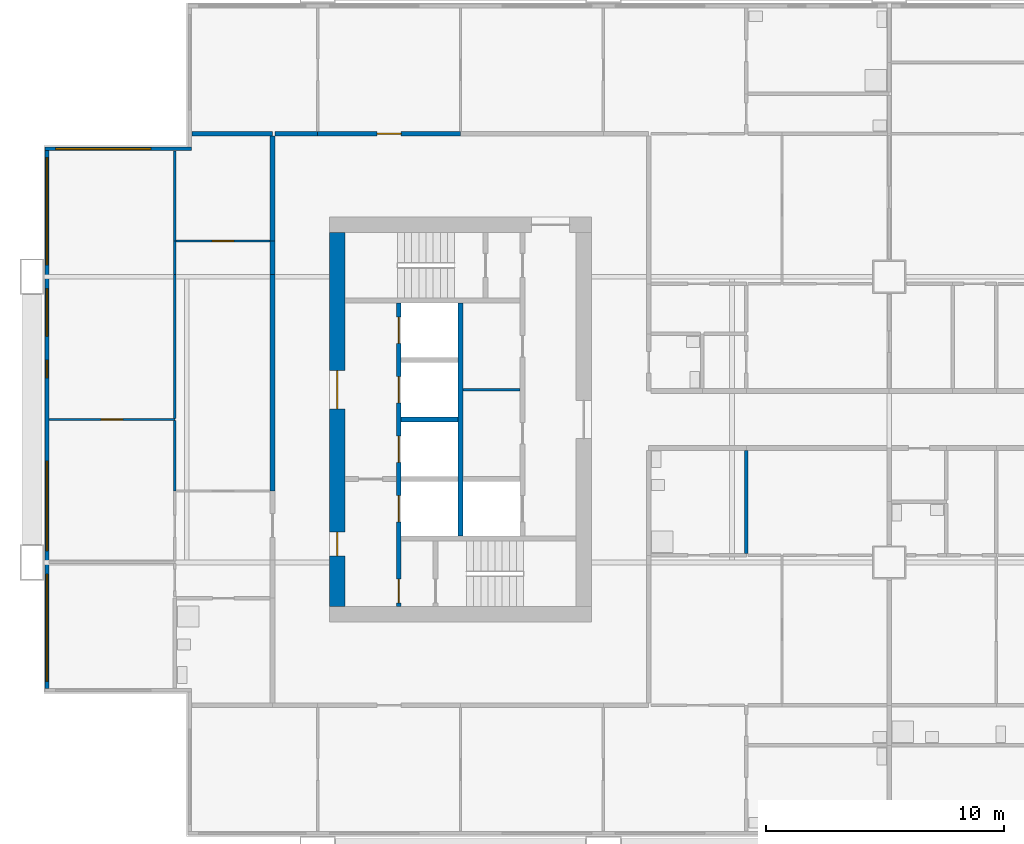
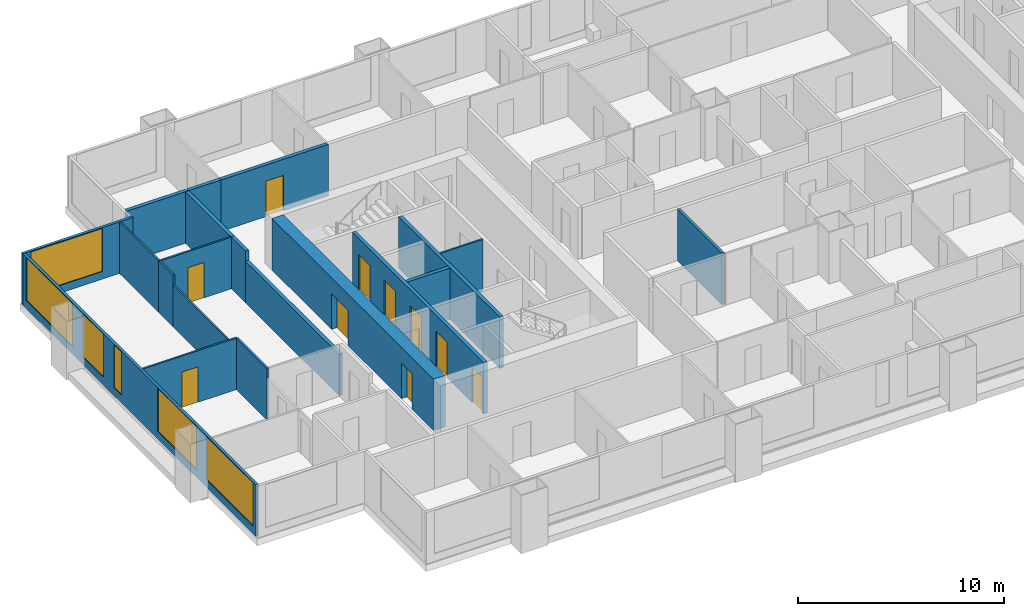
# One storey, part 3 of 11: 20 walls, 10 doors, 6 windows, 16 openings.
"""IFC4 building model written with IfcOpenShell, lengths in metres."""

import ifcopenshell
import ifcopenshell.guid

model = None  # the IFC model being written
_history = None  # IfcOwnerHistory: only IFC2X3 demands one
_inside = {}  # id of a spatial element -> (the spatial element, [elements in it])
_under = {}  # id of a project, library or spatial element -> (it, [spatial elements below it])
_declared = {}  # id of a project -> (the project, [libraries it declares])
_typed = {}  # id of a type object -> (the type object, [elements of that type])
_made_of = {}  # id of a material, layer set ... -> (it, [elements and type objects made of it])


def new_model(schema):
    """Start an empty IFC model of exactly this schema.

    Asked for "IFC4X3", IfcOpenShell would pick the latest addendum, in which some entities
    have other attributes; the version numbers below select the first issue.
    IFC2X3 requires an IfcOwnerHistory on every rooted entity: one is made here for all.
    """
    global model, _history
    if schema == "IFC4X3":
        model = ifcopenshell.file(schema_version=(4, 3, 0, 0))
    else:
        model = ifcopenshell.file(schema=schema)
    _inside.clear()
    _under.clear()
    _declared.clear()
    _typed.clear()
    _made_of.clear()
    _history = None
    if model.schema == "IFC2X3":
        org = make("IfcOrganization", Name="unknown")
        user = make(
            "IfcPersonAndOrganization",
            ThePerson=make("IfcPerson", FamilyName="unknown"),
            TheOrganization=org,
        )
        app = make(
            "IfcApplication",
            ApplicationDeveloper=org,
            Version="unknown",
            ApplicationFullName="unknown",
            ApplicationIdentifier="unknown",
        )
        _history = make(
            "IfcOwnerHistory",
            OwningUser=user,
            OwningApplication=app,
            ChangeAction="ADDED",
            CreationDate=0,
        )
    return model


def make(cls, **values):
    """One entity of the class cls with the attributes given. An attribute that is None is left unset."""
    return model.create_entity(
        cls, **{name: value for name, value in values.items() if value is not None}
    )


def rooted(cls, **values):
    """An entity with a GlobalId (a new one), such as an element, a storey or a relation."""
    return make(cls, GlobalId=ifcopenshell.guid.new(), OwnerHistory=_history, **values)


def si_unit(unit_type, name, prefix=None):
    """IfcSIUnit, for example si_unit("LENGTHUNIT", "METRE", prefix="MILLI")."""
    return make("IfcSIUnit", UnitType=unit_type, Prefix=prefix, Name=name)


def assignment(units):
    """IfcUnitAssignment: the units of a project."""
    return None if units is None else make("IfcUnitAssignment", Units=units)


def point(xyz):
    """IfcCartesianPoint."""
    return None if xyz is None else make("IfcCartesianPoint", Coordinates=xyz)


def direction(xyz):
    """IfcDirection."""
    return None if xyz is None else make("IfcDirection", DirectionRatios=xyz)


def frame(location, z_axis=None, x_axis=None):
    """IfcAxis2Placement3D, a coordinate frame: its origin and axes. An axis left out is left unset."""
    return make(
        "IfcAxis2Placement3D",
        Location=point(location),
        Axis=direction(z_axis),
        RefDirection=direction(x_axis),
    )


def frame_2d(location, x_axis=None):
    """IfcAxis2Placement2D, a coordinate frame in the plane: its origin and x axis."""
    return make(
        "IfcAxis2Placement2D", Location=point(location), RefDirection=direction(x_axis)
    )


def origin():
    """The frame at (0, 0, 0) with its axes left unset."""
    return frame((0.0, 0.0, 0.0))


def place(relative_to, where):
    """IfcLocalPlacement: puts the frame where relative to a parent placement (None: the world)."""
    return make(
        "IfcLocalPlacement", PlacementRelTo=relative_to, RelativePlacement=where
    )


def context(
    kind, dimensions, precision=None, world=None, true_north=None, identifier=None
):
    """IfcGeometricRepresentationContext, for example the 3D "Model" context."""
    return make(
        "IfcGeometricRepresentationContext",
        ContextIdentifier=identifier,
        ContextType=kind,
        CoordinateSpaceDimension=dimensions,
        Precision=precision,
        WorldCoordinateSystem=world,
        TrueNorth=true_north,
    )


def subcontext(parent, identifier, kind, view, scale=None):
    """IfcGeometricRepresentationSubContext, for example "Body" below "Model"."""
    return make(
        "IfcGeometricRepresentationSubContext",
        ContextIdentifier=identifier,
        ContextType=kind,
        ParentContext=parent,
        TargetScale=scale,
        TargetView=view,
    )


def project(units=None, contexts=None):
    """IfcProject with its units and contexts."""
    return rooted(
        "IfcProject",
        Name="project",
        RepresentationContexts=contexts,
        UnitsInContext=assignment(units),
    )


def spatial(cls, under=None, at=None, **own):
    """A site, building, storey or space (cls), placed at a placement, below another one or the project."""
    s = rooted(cls, ObjectPlacement=at, **own)
    if under is not None:
        _under.setdefault(under.id(), (under, []))[1].append(s)
    return s


def profile(cls, at=None, kind="AREA", **sizes):
    """A parametric profile (cls). Its sizes go by their IFC names, for example OverallWidth=200.0."""
    return make(cls, ProfileType=kind, Position=at, **sizes)


def rectangle(**sizes):
    """IfcRectangleProfileDef."""
    return profile("IfcRectangleProfileDef", **sizes)


def extrude(swept, where, along, depth):
    """IfcExtrudedAreaSolid: the profile swept, set in the frame where, extruded along a direction by depth."""
    return make(
        "IfcExtrudedAreaSolid",
        SweptArea=swept,
        Position=where,
        ExtrudedDirection=direction(along),
        Depth=depth,
    )


def shape(context_of_items, identifier, shape_type, items):
    """IfcShapeRepresentation: the items that make up one representation, for example the "Body"."""
    return make(
        "IfcShapeRepresentation",
        ContextOfItems=context_of_items,
        RepresentationIdentifier=identifier,
        RepresentationType=shape_type,
        Items=items,
    )


def material(Name=None, Category=None):
    """IfcMaterial."""
    return make("IfcMaterial", Name=Name, Category=Category)


def layer(
    of_material, thickness, ventilated=None, Name=None, Category=None, Priority=None
):
    """IfcMaterialLayer: one layer of a wall or slab, of a material (None: an air gap)."""
    return make(
        "IfcMaterialLayer",
        Material=of_material,
        LayerThickness=thickness,
        IsVentilated=ventilated,
        Name=Name,
        Category=Category,
        Priority=Priority,
    )


def layer_set(layers, Name=None):
    """IfcMaterialLayerSet."""
    return make("IfcMaterialLayerSet", MaterialLayers=layers, LayerSetName=Name)


def made_of(thing, what):
    """Note that an element or type object is made of a material, layer set ...; save() writes the relation."""
    if what is not None:
        _made_of.setdefault(what.id(), (what, []))[1].append(thing)
    return thing


def type_object(cls, material=None, **own):
    """A type object (cls), such as IfcWallType, which elements share."""
    return made_of(rooted(cls, **own), material)


def element(
    cls,
    number,
    at=None,
    inside=None,
    cuts=None,
    type_object=None,
    material=None,
    context=None,
    identifier="Body",
    shape_type=None,
    held_by="IfcProductDefinitionShape",
    body=None,
    shapes=None,
    **own,
):
    """One element of the class cls, such as IfcWall. Its Tag is "e" and its number.

    at: its placement. inside: the storey or other place that contains it. cuts: it is an
    opening in that element (IfcRelVoidsElement). A single representation is given by context,
    identifier, shape_type and body (its items); several are given by shapes. held_by: the class
    of the entity that holds the representations. save() writes the other relations.
    """
    e = rooted(cls, Tag="e%d" % number, ObjectPlacement=at, **own)
    if body is not None:
        shapes = [shape(context, identifier, shape_type, body)]
    if shapes is not None:
        e.Representation = make(held_by, Representations=shapes)
    if inside is not None:
        _inside.setdefault(inside.id(), (inside, []))[1].append(e)
    if cuts is not None:
        rooted(
            "IfcRelVoidsElement", RelatingBuildingElement=cuts, RelatedOpeningElement=e
        )
    if type_object is not None:
        _typed.setdefault(type_object.id(), (type_object, []))[1].append(e)
    return made_of(e, material)


def fill(opening, filler):
    """IfcRelFillsElement: the door or window that sits in an opening."""
    return rooted(
        "IfcRelFillsElement",
        RelatingOpeningElement=opening,
        RelatedBuildingElement=filler,
    )


def aggregate(whole, parts):
    """IfcRelAggregates: a whole, such as a stair, and the parts it consists of."""
    return rooted("IfcRelAggregates", RelatingObject=whole, RelatedObjects=parts)


def save(model, path):
    """Write the relations noted so far, then the file.

    IfcRelAggregates (storeys below a building ...), IfcRelContainedInSpatialStructure (elements
    in a storey), IfcRelDefinesByType, IfcRelAssociatesMaterial and IfcRelDeclares: one each for
    every whole, place, type object, material and project.
    """
    for whole, parts in _under.values():
        aggregate(whole, parts)
    for where, things in _inside.values():
        rooted(
            "IfcRelContainedInSpatialStructure",
            RelatedElements=things,
            RelatingStructure=where,
        )
    for kind, things in _typed.values():
        rooted("IfcRelDefinesByType", RelatedObjects=things, RelatingType=kind)
    for what, things in _made_of.values():
        rooted("IfcRelAssociatesMaterial", RelatedObjects=things, RelatingMaterial=what)
    for by, libraries in _declared.values():
        rooted("IfcRelDeclares", RelatingContext=by, RelatedDefinitions=libraries)
    model.write(path)


model = new_model("IFC4")

# Units and contexts
model_context = context("Model", 3, precision=1e-05, world=origin(), true_north=direction((0.0, 1.0)))
body_context = subcontext(model_context, "Body", "Model", "MODEL_VIEW")
ifc_project = project(units=[si_unit("LENGTHUNIT", "METRE"), si_unit("AREAUNIT", "SQUARE_METRE"), si_unit("VOLUMEUNIT", "CUBIC_METRE"), si_unit("PLANEANGLEUNIT", "RADIAN"), si_unit("MASSUNIT", "GRAM", prefix="KILO")], contexts=[model_context])

# Site, building, storey
site_placement = place(None, origin())
site = spatial("IfcSite", under=ifc_project, at=site_placement, CompositionType="ELEMENT")
building_placement = place(site_placement, origin())
building = spatial("IfcBuilding", under=site, at=building_placement, Name="Kitamizu Gate Tower and Museum", CompositionType="ELEMENT")
storey_placement = place(building_placement, frame((0.0, 0.0, 103.5)))
storey = spatial("IfcBuildingStorey", under=building, at=storey_placement, Name="L26", CompositionType="ELEMENT", Elevation=103.5)

# Wall, openings, doors
ifc_material_1 = material(Name="Concrete Fc60", Category="concrete")
ifc_layer_1 = layer(ifc_material_1, 0.64990234375)
ifc_layer_set_1 = layer_set([ifc_layer_1], Name="Concrete Fc60")
wall_type_1 = type_object("IfcWallType", Name="Core wall 650", PredefinedType="SHEAR", material=ifc_layer_set_1)
wall_1_placement = place(storey_placement, frame((12.824951171875, 22.14990234375, 0.0), z_axis=(0.0, 0.0, 1.0), x_axis=(0.0, 1.0, 0.0)))
wall_1 = element("IfcWall", 1, at=wall_1_placement, inside=storey, type_object=wall_type_1, Name="Core wall WOUT", PredefinedType="SHEAR", context=body_context, shape_type="SweptSolid", body=[
    extrude(rectangle(XDim=15.7001953125, YDim=0.64990234375, at=frame_2d((7.85009765625, 0.0))), origin(), (0.0, 0.0, 1.0), 3.050048828125),
])
opening_1_placement = place(wall_1_placement, frame((8.300048828125, 0.0, 0.0)))
opening_1 = element("IfcOpeningElement", 2, at=opening_1_placement, cuts=wall_1, Name="Opening L26-061", PredefinedType="OPENING", context=body_context, shape_type="SweptSolid", body=[
    extrude(rectangle(XDim=1.60009765625, YDim=2.10009765625, at=frame_2d((0.800048828125, 1.050048828125))), frame((0.0, 0.3349609375, 0.0), z_axis=(0.0, -1.0, 0.0), x_axis=(1.0, 0.0, 0.0)), (0.0, 0.0, 1.0), 0.669921875),
])
opening_2_placement = place(wall_1_placement, frame((2.125, 0.0, 0.0)))
opening_2 = element("IfcOpeningElement", 3, at=opening_2_placement, cuts=wall_1, Name="Opening L26-062", PredefinedType="OPENING", context=body_context, shape_type="SweptSolid", body=[
    extrude(rectangle(XDim=1.0, YDim=2.10009765625, at=frame_2d((0.5, 1.050048828125))), frame((0.0, 0.3349609375, 0.0), z_axis=(0.0, -1.0, 0.0), x_axis=(1.0, 0.0, 0.0)), (0.0, 0.0, 1.0), 0.669921875),
])
ifc_material_2 = material(Name="Timber door set", Category="wood")
door_type_1 = type_object("IfcDoorType", Name="Entrance door 1600", OperationType="DOUBLE_DOOR_SINGLE_SWING", PredefinedType="DOOR", material=ifc_material_2)
door_1_placement = place(opening_1_placement, origin())
door_1 = element("IfcDoor", 4, at=door_1_placement, inside=storey, type_object=door_type_1, Name="Lobby door L26-061", OperationType="DOUBLE_DOOR_SINGLE_SWING", OverallHeight=2.10009765625, OverallWidth=1.60009765625, PredefinedType="DOOR", context=body_context, shape_type="SweptSolid", body=[
    extrude(rectangle(XDim=1.60009765625, YDim=2.10009765625, at=frame_2d((0.800048828125, 1.050048828125))), frame((0.0, 0.02490234375, 0.0), z_axis=(0.0, -1.0, 0.0), x_axis=(1.0, 0.0, 0.0)), (0.0, 0.0, 1.0), 0.050048828125),
])
fill(opening_1, door_1)
ifc_material_3 = material(Name="Hollow metal door set")
door_type_2 = type_object("IfcDoorType", Name="Fire door 1000", OperationType="NOTDEFINED", PredefinedType="DOOR", material=ifc_material_3)
door_2_placement = place(opening_2_placement, frame((1.0, 0.0, 0.0), x_axis=(-1.0, 0.0, 0.0)))
door_2 = element("IfcDoor", 5, at=door_2_placement, inside=storey, type_object=door_type_2, Name="Fire-fighting lobby door L26-062", OperationType="SINGLE_SWING_RIGHT", OverallHeight=2.10009765625, OverallWidth=1.0, PredefinedType="DOOR", context=body_context, shape_type="SweptSolid", body=[
    extrude(rectangle(XDim=1.0, YDim=2.10009765625, at=frame_2d((0.5, 1.050048828125))), frame((0.0, 0.02490234375, 0.0), z_axis=(0.0, -1.0, 0.0), x_axis=(1.0, 0.0, 0.0)), (0.0, 0.0, 1.0), 0.050048828125),
])
fill(opening_2, door_2)

# Wall
ifc_material_4 = material(Name="Gypsum board on galvanised stud")
ifc_layer_2 = layer(ifc_material_4, 0.10009765625)
ifc_layer_set_2 = layer_set([ifc_layer_2], Name="Gypsum board on galvanised stud")
wall_type_2 = type_object("IfcWallType", Name="Partition 100", PredefinedType="PARTITIONING", material=ifc_layer_set_2)
wall_2_placement = place(storey_placement, frame((18.10009765625, 31.25, 0.0), z_axis=(0.0, 0.0, 1.0), x_axis=(1.0, 0.0, 0.0)))
element("IfcWall", 6, at=wall_2_placement, inside=storey, type_object=wall_type_2, Name="Partition WPF1", PredefinedType="PARTITIONING", context=body_context, shape_type="SweptSolid", body=[
    extrude(rectangle(XDim=2.39990234375, YDim=0.10009765625, at=frame_2d((1.199951171875, 0.0))), origin(), (0.0, 0.0, 1.0), 3.050048828125),
])

# Wall, opening, door
ifc_material_5 = material(Name="Gypsum board on galvanised stud")
ifc_layer_3 = layer(ifc_material_5, 0.10009765625)
ifc_layer_set_3 = layer_set([ifc_layer_3], Name="Gypsum board on galvanised stud")
wall_type_3 = type_object("IfcWallType", Name="Partition 100 NOT RATED", PredefinedType="PARTITIONING", material=ifc_layer_set_3)
wall_3_placement = place(storey_placement, frame((6.0, 30.0, 0.0), z_axis=(0.0, 0.0, 1.0), x_axis=(-1.0, 0.0, 0.0)))
wall_3 = element("IfcWall", 7, at=wall_3_placement, inside=storey, type_object=wall_type_3, Name="Partition L26-033", PredefinedType="PARTITIONING", context=body_context, shape_type="SweptSolid", body=[
    extrude(rectangle(XDim=5.280029296875, YDim=0.10009765625, at=frame_2d((2.64013671875, 0.0))), origin(), (0.0, 0.0, 1.0), 3.050048828125),
])
opening_3_placement = place(wall_3_placement, frame((2.18994140625, 0.0, 0.0)))
opening_3 = element("IfcOpeningElement", 8, at=opening_3_placement, cuts=wall_3, Name="Opening L26-015", PredefinedType="OPENING", context=body_context, shape_type="SweptSolid", body=[
    extrude(rectangle(XDim=0.89990234375, YDim=2.10009765625, at=frame_2d((0.449951171875, 1.050048828125))), frame((0.0, 0.06005859375, 0.0), z_axis=(0.0, -1.0, 0.0), x_axis=(1.0, 0.0, 0.0)), (0.0, 0.0, 1.0), 0.1201171875),
])
ifc_material_6 = material(Name="Timber door set", Category="wood")
door_type_3 = type_object("IfcDoorType", Name="Room door 900", OperationType="NOTDEFINED", PredefinedType="DOOR", material=ifc_material_6)
door_3_placement = place(opening_3_placement, origin())
door_3 = element("IfcDoor", 9, at=door_3_placement, inside=storey, type_object=door_type_3, Name="Door L26-015", OperationType="SINGLE_SWING_RIGHT", OverallHeight=2.10009765625, OverallWidth=0.89990234375, PredefinedType="DOOR", context=body_context, shape_type="SweptSolid", body=[
    extrude(rectangle(XDim=0.89990234375, YDim=2.10009765625, at=frame_2d((0.449951171875, 1.050048828125))), frame((0.0, 0.02490234375, 0.0), z_axis=(0.0, -1.0, 0.0), x_axis=(1.0, 0.0, 0.0)), (0.0, 0.0, 1.0), 0.050048828125),
])
fill(opening_3, door_3)

# Walls
wall_4_placement = place(storey_placement, frame((6.0, 27.0, 0.0), z_axis=(0.0, 0.0, 1.0), x_axis=(0.0, 1.0, 0.0)))
element("IfcWall", 10, at=wall_4_placement, inside=storey, type_object=wall_type_3, Name="Partition L26-035", PredefinedType="PARTITIONING", context=body_context, shape_type="SweptSolid", body=[
    extrude(rectangle(XDim=2.949951171875, YDim=0.10009765625, at=frame_2d((1.47509765625, 0.0))), origin(), (0.0, 0.0, 1.0), 3.050048828125),
])
wall_5_placement = place(storey_placement, frame((6.0, 30.050048828125, 0.0), z_axis=(0.0, 0.0, 1.0), x_axis=(0.0, 1.0, 0.0)))
element("IfcWall", 11, at=wall_5_placement, inside=storey, type_object=wall_type_3, Name="Partition L26-036", PredefinedType="PARTITIONING", context=body_context, shape_type="SweptSolid", body=[
    extrude(rectangle(XDim=6.050048828125, YDim=0.10009765625, at=frame_2d((3.02490234375, 0.0))), origin(), (0.0, 0.0, 1.0), 2.449951171875),
])
wall_6_placement = place(storey_placement, frame((6.0, 36.10009765625, 0.0), z_axis=(0.0, 0.0, 1.0), x_axis=(0.0, 1.0, 0.0)))
element("IfcWall", 12, at=wall_6_placement, inside=storey, type_object=wall_type_3, Name="Partition L26-037", PredefinedType="PARTITIONING", context=body_context, shape_type="SweptSolid", body=[
    extrude(rectangle(XDim=1.39990234375, YDim=0.10009765625, at=frame_2d((0.699951171875, 0.0))), origin(), (0.0, 0.0, 1.0), 3.050048828125),
])
wall_7_placement = place(storey_placement, frame((6.0, 37.5, 0.0), z_axis=(0.0, 0.0, 1.0), x_axis=(0.0, 1.0, 0.0)))
element("IfcWall", 13, at=wall_7_placement, inside=storey, type_object=wall_type_3, Name="Partition L26-038", PredefinedType="PARTITIONING", context=body_context, shape_type="SweptSolid", body=[
    extrude(rectangle(XDim=3.780029296875, YDim=0.10009765625, at=frame_2d((1.89013671875, 0.0))), origin(), (0.0, 0.0, 1.0), 3.050048828125),
])

# Wall, opening, door
wall_8_placement = place(storey_placement, frame((10.0, 37.5, 0.0), z_axis=(0.0, 0.0, 1.0), x_axis=(-1.0, 0.0, 0.0)))
wall_8 = element("IfcWall", 14, at=wall_8_placement, inside=storey, type_object=wall_type_3, Name="Partition L26-044", PredefinedType="PARTITIONING", context=body_context, shape_type="SweptSolid", body=[
    extrude(rectangle(XDim=3.949951171875, YDim=0.10009765625, at=frame_2d((1.97509765625, 0.0))), origin(), (0.0, 0.0, 1.0), 3.050048828125),
])
opening_4_placement = place(wall_8_placement, frame((1.52490234375, 0.0, 0.0)))
opening_4 = element("IfcOpeningElement", 15, at=opening_4_placement, cuts=wall_8, Name="Opening L26-017", PredefinedType="OPENING", context=body_context, shape_type="SweptSolid", body=[
    extrude(rectangle(XDim=0.89990234375, YDim=2.10009765625, at=frame_2d((0.449951171875, 1.050048828125))), frame((0.0, 0.06005859375, 0.0), z_axis=(0.0, -1.0, 0.0), x_axis=(1.0, 0.0, 0.0)), (0.0, 0.0, 1.0), 0.1201171875),
])
door_4_placement = place(opening_4_placement, frame((0.89990234375, 0.0, 0.0), x_axis=(-1.0, 0.0, 0.0)))
door_4 = element("IfcDoor", 16, at=door_4_placement, inside=storey, type_object=door_type_3, Name="Door L26-017", OperationType="SINGLE_SWING_LEFT", OverallHeight=2.10009765625, OverallWidth=0.89990234375, PredefinedType="DOOR", context=body_context, shape_type="SweptSolid", body=[
    extrude(rectangle(XDim=0.89990234375, YDim=2.10009765625, at=frame_2d((0.449951171875, 1.050048828125))), frame((0.0, 0.02490234375, 0.0), z_axis=(0.0, -1.0, 0.0), x_axis=(1.0, 0.0, 0.0)), (0.0, 0.0, 1.0), 0.050048828125),
])
fill(opening_4, door_4)

# Walls
ifc_material_7 = material(Name="Gypsum board on galvanised stud")
ifc_layer_4 = layer(ifc_material_7, 0.14990234375)
ifc_layer_set_4 = layer_set([ifc_layer_4], Name="Gypsum board on galvanised stud")
wall_type_4 = type_object("IfcWallType", Name="Partition 150", PredefinedType="PARTITIONING", material=ifc_layer_set_4)
wall_9_placement = place(storey_placement, frame((30.0, 24.375, 0.0), z_axis=(0.0, 0.0, 1.0), x_axis=(0.0, 1.0, 0.0)))
element("IfcWall", 17, at=wall_9_placement, inside=storey, type_object=wall_type_4, Name="Partition L26-024", PredefinedType="PARTITIONING", context=body_context, shape_type="SweptSolid", body=[
    extrude(rectangle(XDim=4.324951171875, YDim=0.14990234375, at=frame_2d((2.16259765625, 0.0))), origin(), (0.0, 0.0, 1.0), 3.050048828125),
])
ifc_material_8 = material(Name="Gypsum board on galvanised stud")
ifc_layer_5 = layer(ifc_material_8, 0.199951171875)
ifc_layer_set_5 = layer_set([ifc_layer_5], Name="Gypsum board on galvanised stud")
wall_type_5 = type_object("IfcWallType", Name="Partition 200", PredefinedType="PARTITIONING", material=ifc_layer_set_5)
wall_10_placement = place(storey_placement, frame((10.10009765625, 27.0, 0.0), z_axis=(0.0, 0.0, 1.0), x_axis=(0.0, 1.0, 0.0)))
element("IfcWall", 18, at=wall_10_placement, inside=storey, type_object=wall_type_5, Name="Partition L26-045", PredefinedType="PARTITIONING", context=body_context, shape_type="SweptSolid", body=[
    extrude(rectangle(XDim=9.10009765625, YDim=0.199951171875, at=frame_2d((4.550048828125, 0.0))), origin(), (0.0, 0.0, 1.0), 2.449951171875),
])
wall_11_placement = place(storey_placement, frame((10.10009765625, 36.10009765625, 0.0), z_axis=(0.0, 0.0, 1.0), x_axis=(0.0, 1.0, 0.0)))
element("IfcWall", 19, at=wall_11_placement, inside=storey, type_object=wall_type_5, Name="Partition L26-046", PredefinedType="PARTITIONING", context=body_context, shape_type="SweptSolid", body=[
    extrude(rectangle(XDim=1.39990234375, YDim=0.199951171875, at=frame_2d((0.699951171875, 0.0))), origin(), (0.0, 0.0, 1.0), 3.050048828125),
])
wall_12_placement = place(storey_placement, frame((10.10009765625, 42.0, 0.0), z_axis=(0.0, 0.0, 1.0), x_axis=(-1.0, 0.0, 0.0)))
element("IfcWall", 20, at=wall_12_placement, inside=storey, type_object=wall_type_5, Name="Partition L26-047", PredefinedType="PARTITIONING", context=body_context, shape_type="SweptSolid", body=[
    extrude(rectangle(XDim=3.380126953125, YDim=0.199951171875, at=frame_2d((1.68994140625, 0.0))), origin(), (0.0, 0.0, 1.0), 3.050048828125),
])
wall_13_placement = place(storey_placement, frame((10.10009765625, 37.5, 0.0), z_axis=(0.0, 0.0, 1.0), x_axis=(0.0, 1.0, 0.0)))
element("IfcWall", 21, at=wall_13_placement, inside=storey, type_object=wall_type_5, Name="Partition L26-048", PredefinedType="PARTITIONING", context=body_context, shape_type="SweptSolid", body=[
    extrude(rectangle(XDim=4.39990234375, YDim=0.199951171875, at=frame_2d((2.199951171875, 0.0))), origin(), (0.0, 0.0, 1.0), 3.050048828125),
])
wall_14_placement = place(storey_placement, frame((10.199951171875, 42.0, 0.0), z_axis=(0.0, 0.0, 1.0), x_axis=(1.0, 0.0, 0.0)))
element("IfcWall", 22, at=wall_14_placement, inside=storey, type_object=wall_type_5, Name="Partition L26-094", PredefinedType="PARTITIONING", context=body_context, shape_type="SweptSolid", body=[
    extrude(rectangle(XDim=1.800048828125, YDim=0.199951171875, at=frame_2d((0.89990234375, 0.0))), origin(), (0.0, 0.0, 1.0), 3.050048828125),
])

# Wall, opening, door
wall_15_placement = place(storey_placement, frame((12.0, 42.0, 0.0), z_axis=(0.0, 0.0, 1.0), x_axis=(1.0, 0.0, 0.0)))
wall_15 = element("IfcWall", 23, at=wall_15_placement, inside=storey, type_object=wall_type_5, Name="Partition L26-096", PredefinedType="PARTITIONING", context=body_context, shape_type="SweptSolid", body=[
    extrude(rectangle(XDim=6.0, YDim=0.199951171875, at=frame_2d((3.0, 0.0))), origin(), (0.0, 0.0, 1.0), 3.050048828125),
])
opening_5_placement = place(wall_15_placement, frame((2.5, 0.0, 0.0)))
opening_5 = element("IfcOpeningElement", 24, at=opening_5_placement, cuts=wall_15, Name="Opening L26-036", PredefinedType="OPENING", context=body_context, shape_type="SweptSolid", body=[
    extrude(rectangle(XDim=1.0, YDim=2.10009765625, at=frame_2d((0.5, 1.050048828125))), frame((0.0, 0.10986328125, 0.0), z_axis=(0.0, -1.0, 0.0), x_axis=(1.0, 0.0, 0.0)), (0.0, 0.0, 1.0), 0.219970703125),
])
ifc_material_9 = material(Name="Timber door set", Category="wood")
door_type_4 = type_object("IfcDoorType", Name="Flat entrance door 1000", OperationType="NOTDEFINED", PredefinedType="DOOR", material=ifc_material_9)
door_5_placement = place(opening_5_placement, origin())
door_5 = element("IfcDoor", 25, at=door_5_placement, inside=storey, type_object=door_type_4, Name="Flat entrance door L26-036", OperationType="SINGLE_SWING_RIGHT", OverallHeight=2.10009765625, OverallWidth=1.0, PredefinedType="DOOR", context=body_context, shape_type="SweptSolid", body=[
    extrude(rectangle(XDim=1.0, YDim=2.10009765625, at=frame_2d((0.5, 1.050048828125))), frame((0.0, 0.02490234375, 0.0), z_axis=(0.0, -1.0, 0.0), x_axis=(1.0, 0.0, 0.0)), (0.0, 0.0, 1.0), 0.050048828125),
])
fill(opening_5, door_5)

# Wall, openings, doors
ifc_material_10 = material(Name="Concrete Fc42", Category="concrete")
ifc_layer_6 = layer(ifc_material_10, 0.199951171875)
ifc_layer_set_6 = layer_set([ifc_layer_6], Name="Concrete Fc42")
wall_type_6 = type_object("IfcWallType", Name="Shaft wall 200", PredefinedType="SOLIDWALL", material=ifc_layer_set_6)
wall_16_placement = place(storey_placement, frame((15.39990234375, 22.14990234375, 0.0), z_axis=(0.0, 0.0, 1.0), x_axis=(0.0, 1.0, 0.0)))
wall_16 = element("IfcWall", 26, at=wall_16_placement, inside=storey, type_object=wall_type_6, Name="Shaft wall WWEST", PredefinedType="SOLIDWALL", context=body_context, shape_type="SweptSolid", body=[
    extrude(rectangle(XDim=12.75, YDim=0.199951171875, at=frame_2d((6.375, 0.0))), origin(), (0.0, 0.0, 1.0), 3.050048828125),
])
opening_6_placement = place(wall_16_placement, frame((3.550048828125, 0.0, 0.0)))
opening_6 = element("IfcOpeningElement", 27, at=opening_6_placement, cuts=wall_16, Name="Opening LD", PredefinedType="OPENING", context=body_context, shape_type="SweptSolid", body=[
    extrude(rectangle(XDim=1.10009765625, YDim=2.10009765625, at=frame_2d((0.550048828125, 1.050048828125))), frame((0.0, 0.10986328125, 0.0), z_axis=(0.0, -1.0, 0.0), x_axis=(1.0, 0.0, 0.0)), (0.0, 0.0, 1.0), 0.219970703125),
])
opening_7_placement = place(wall_16_placement, frame((6.050048828125, 0.0, 0.0)))
opening_7 = element("IfcOpeningElement", 28, at=opening_7_placement, cuts=wall_16, Name="Opening LD", PredefinedType="OPENING", context=body_context, shape_type="SweptSolid", body=[
    extrude(rectangle(XDim=1.10009765625, YDim=2.10009765625, at=frame_2d((0.550048828125, 1.050048828125))), frame((0.0, 0.10986328125, 0.0), z_axis=(0.0, -1.0, 0.0), x_axis=(1.0, 0.0, 0.0)), (0.0, 0.0, 1.0), 0.219970703125),
])
opening_8_placement = place(wall_16_placement, frame((8.550048828125, 0.0, 0.0)))
opening_8 = element("IfcOpeningElement", 29, at=opening_8_placement, cuts=wall_16, Name="Opening LD", PredefinedType="OPENING", context=body_context, shape_type="SweptSolid", body=[
    extrude(rectangle(XDim=1.10009765625, YDim=2.10009765625, at=frame_2d((0.550048828125, 1.050048828125))), frame((0.0, 0.10986328125, 0.0), z_axis=(0.0, -1.0, 0.0), x_axis=(1.0, 0.0, 0.0)), (0.0, 0.0, 1.0), 0.219970703125),
])
opening_9_placement = place(wall_16_placement, frame((11.050048828125, 0.0, 0.0)))
opening_9 = element("IfcOpeningElement", 30, at=opening_9_placement, cuts=wall_16, Name="Opening LD", PredefinedType="OPENING", context=body_context, shape_type="SweptSolid", body=[
    extrude(rectangle(XDim=1.10009765625, YDim=2.10009765625, at=frame_2d((0.550048828125, 1.050048828125))), frame((0.0, 0.10986328125, 0.0), z_axis=(0.0, -1.0, 0.0), x_axis=(1.0, 0.0, 0.0)), (0.0, 0.0, 1.0), 0.219970703125),
])
opening_10_placement = place(wall_16_placement, frame((0.14990234375, 0.0, 0.0)))
opening_10 = element("IfcOpeningElement", 31, at=opening_10_placement, cuts=wall_16, Name="Opening L26-057", PredefinedType="OPENING", context=body_context, shape_type="SweptSolid", body=[
    extrude(rectangle(XDim=1.0, YDim=2.10009765625, at=frame_2d((0.5, 1.050048828125))), frame((0.0, 0.10986328125, 0.0), z_axis=(0.0, -1.0, 0.0), x_axis=(1.0, 0.0, 0.0)), (0.0, 0.0, 1.0), 0.219970703125),
])
door_6_placement = place(opening_10_placement, frame((1.0, 0.0, 0.0), x_axis=(-1.0, 0.0, 0.0)))
door_6 = element("IfcDoor", 32, at=door_6_placement, inside=storey, type_object=door_type_2, Name="Stair lobby door L26-057", OperationType="SINGLE_SWING_LEFT", OverallHeight=2.10009765625, OverallWidth=1.0, PredefinedType="DOOR", context=body_context, shape_type="SweptSolid", body=[
    extrude(rectangle(XDim=1.0, YDim=2.10009765625, at=frame_2d((0.5, 1.050048828125))), frame((0.0, 0.02490234375, 0.0), z_axis=(0.0, -1.0, 0.0), x_axis=(1.0, 0.0, 0.0)), (0.0, 0.0, 1.0), 0.050048828125),
])
fill(opening_10, door_6)
ifc_material_11 = material(Name="Hollow metal door set")
door_type_5 = type_object("IfcDoorType", Name="Landing door 1100", OperationType="SLIDING_TO_LEFT", PredefinedType="DOOR", material=ifc_material_11)
door_7_placement = place(opening_6_placement, origin())
door_7 = element("IfcDoor", 33, at=door_7_placement, inside=storey, type_object=door_type_5, Name="Landing door WFF1", OperationType="SLIDING_TO_LEFT", OverallHeight=2.10009765625, OverallWidth=1.10009765625, PredefinedType="DOOR", context=body_context, shape_type="SweptSolid", body=[
    extrude(rectangle(XDim=1.10009765625, YDim=2.10009765625, at=frame_2d((0.550048828125, 1.050048828125))), frame((0.0, 0.02490234375, 0.0), z_axis=(0.0, -1.0, 0.0), x_axis=(1.0, 0.0, 0.0)), (0.0, 0.0, 1.0), 0.050048828125),
])
fill(opening_6, door_7)
door_8_placement = place(opening_7_placement, origin())
door_8 = element("IfcDoor", 34, at=door_8_placement, inside=storey, type_object=door_type_5, Name="Landing door WL1", OperationType="SLIDING_TO_LEFT", OverallHeight=2.10009765625, OverallWidth=1.10009765625, PredefinedType="DOOR", context=body_context, shape_type="SweptSolid", body=[
    extrude(rectangle(XDim=1.10009765625, YDim=2.10009765625, at=frame_2d((0.550048828125, 1.050048828125))), frame((0.0, 0.02490234375, 0.0), z_axis=(0.0, -1.0, 0.0), x_axis=(1.0, 0.0, 0.0)), (0.0, 0.0, 1.0), 0.050048828125),
])
fill(opening_7, door_8)
door_9_placement = place(opening_8_placement, origin())
door_9 = element("IfcDoor", 35, at=door_9_placement, inside=storey, type_object=door_type_5, Name="Landing door WL2", OperationType="SLIDING_TO_LEFT", OverallHeight=2.10009765625, OverallWidth=1.10009765625, PredefinedType="DOOR", context=body_context, shape_type="SweptSolid", body=[
    extrude(rectangle(XDim=1.10009765625, YDim=2.10009765625, at=frame_2d((0.550048828125, 1.050048828125))), frame((0.0, 0.02490234375, 0.0), z_axis=(0.0, -1.0, 0.0), x_axis=(1.0, 0.0, 0.0)), (0.0, 0.0, 1.0), 0.050048828125),
])
fill(opening_8, door_9)
door_10_placement = place(opening_9_placement, origin())
door_10 = element("IfcDoor", 36, at=door_10_placement, inside=storey, type_object=door_type_5, Name="Landing door WL3", OperationType="SLIDING_TO_LEFT", OverallHeight=2.10009765625, OverallWidth=1.10009765625, PredefinedType="DOOR", context=body_context, shape_type="SweptSolid", body=[
    extrude(rectangle(XDim=1.10009765625, YDim=2.10009765625, at=frame_2d((0.550048828125, 1.050048828125))), frame((0.0, 0.02490234375, 0.0), z_axis=(0.0, -1.0, 0.0), x_axis=(1.0, 0.0, 0.0)), (0.0, 0.0, 1.0), 0.050048828125),
])
fill(opening_9, door_10)

# Walls
wall_17_placement = place(storey_placement, frame((18.0, 25.10009765625, 0.0), z_axis=(0.0, 0.0, 1.0), x_axis=(0.0, 1.0, 0.0)))
element("IfcWall", 37, at=wall_17_placement, inside=storey, type_object=wall_type_6, Name="Shaft wall WMID", PredefinedType="SOLIDWALL", context=body_context, shape_type="SweptSolid", body=[
    extrude(rectangle(XDim=9.7998046875, YDim=0.199951171875, at=frame_2d((4.89990234375, 0.0))), origin(), (0.0, 0.0, 1.0), 3.050048828125),
])
wall_18_placement = place(storey_placement, frame((15.5, 30.0, 0.0), z_axis=(0.0, 0.0, 1.0), x_axis=(1.0, 0.0, 0.0)))
element("IfcWall", 38, at=wall_18_placement, inside=storey, type_object=wall_type_6, Name="Shaft wall WDVW1", PredefinedType="SOLIDWALL", context=body_context, shape_type="SweptSolid", body=[
    extrude(rectangle(XDim=2.39990234375, YDim=0.199951171875, at=frame_2d((1.199951171875, 0.0))), origin(), (0.0, 0.0, 1.0), 3.050048828125),
])

# Wall, opening, window
ifc_material_12 = material(Name="Bronze anodised aluminium frame with insulated spandrel and tinted glass", Category="aluminium")
ifc_layer_7 = layer(ifc_material_12, 0.14990234375)
ifc_layer_set_7 = layer_set([ifc_layer_7], Name="Bronze anodised aluminium frame with insulated spandrel and tinted glass")
wall_type_7 = type_object("IfcWallType", Name="WINDOW WALL 150 BRONZE FRAME EI 30", PredefinedType="ELEMENTEDWALL", material=ifc_layer_set_7)
wall_19_placement = place(storey_placement, frame((0.56005859375, 41.364990234375, 0.0), z_axis=(0.0, 0.0, 1.0), x_axis=(1.0, 0.0, 0.0)))
wall_19 = element("IfcWall", 39, at=wall_19_placement, inside=storey, type_object=wall_type_7, Name="Window wall north L26", PredefinedType="ELEMENTEDWALL", context=body_context, shape_type="SweptSolid", body=[
    extrude(rectangle(XDim=6.14990234375, YDim=0.14990234375, at=frame_2d((3.074951171875, 0.0))), origin(), (0.0, 0.0, 1.0), 3.050048828125),
])
opening_11_placement = place(wall_19_placement, frame((0.43994140625, 0.0, 0.449951171875)))
opening_11 = element("IfcOpeningElement", 40, at=opening_11_placement, cuts=wall_19, Name="Opening W16", PredefinedType="OPENING", context=body_context, shape_type="SweptSolid", body=[
    extrude(rectangle(XDim=4.0, YDim=2.550048828125, at=frame_2d((2.0, 1.27490234375))), frame((0.0, 0.0849609375, 0.0), z_axis=(0.0, -1.0, 0.0), x_axis=(1.0, 0.0, 0.0)), (0.0, 0.0, 1.0), 0.169921875),
])
ifc_material_13 = material(Name="Bronze anodised aluminium frame, tinted triple glazing", Category="aluminium")
window_type_1 = type_object("IfcWindowType", Name="WINDOW 4000 x 2550 SILL 450", PartitioningType="SINGLE_PANEL", PredefinedType="WINDOW", material=ifc_material_13)
window_1_placement = place(opening_11_placement, origin())
window_1 = element("IfcWindow", 41, at=window_1_placement, inside=storey, type_object=window_type_1, Name="Window W16 L26", OverallHeight=2.550048828125, OverallWidth=4.0, PartitioningType="SINGLE_PANEL", PredefinedType="WINDOW", context=body_context, shape_type="SweptSolid", body=[
    extrude(rectangle(XDim=4.0, YDim=2.550048828125, at=frame_2d((2.0, 1.27490234375))), frame((0.0, 0.030029296875, 0.0), z_axis=(0.0, -1.0, 0.0), x_axis=(1.0, 0.0, 0.0)), (0.0, 0.0, 1.0), 0.06005859375),
])
fill(opening_11, window_1)

# Wall, openings, windows
wall_20_placement = place(storey_placement, frame((0.635009765625, 18.7099609375, 0.0), z_axis=(0.0, 0.0, 1.0), x_axis=(0.0, 1.0, 0.0)))
wall_20 = element("IfcWall", 42, at=wall_20_placement, inside=storey, type_object=wall_type_7, Name="Window wall west L26", PredefinedType="ELEMENTEDWALL", context=body_context, shape_type="SweptSolid", body=[
    extrude(rectangle(XDim=22.580078125, YDim=0.14990234375, at=frame_2d((11.2900390625, 0.0))), origin(), (0.0, 0.0, 1.0), 3.050048828125),
])
opening_12_placement = place(wall_20_placement, frame((0.2900390625, 0.0, 0.449951171875)))
opening_12 = element("IfcOpeningElement", 43, at=opening_12_placement, cuts=wall_20, Name="Opening W15", PredefinedType="OPENING", context=body_context, shape_type="SweptSolid", body=[
    extrude(rectangle(XDim=4.5, YDim=2.550048828125, at=frame_2d((2.25, 1.27490234375))), frame((0.0, 0.0849609375, 0.0), z_axis=(0.0, -1.0, 0.0), x_axis=(1.0, 0.0, 0.0)), (0.0, 0.0, 1.0), 0.169921875),
])
opening_13_placement = place(wall_20_placement, frame((5.7900390625, 0.0, 0.449951171875)))
opening_13 = element("IfcOpeningElement", 44, at=opening_13_placement, cuts=wall_20, Name="Opening W36", PredefinedType="OPENING", context=body_context, shape_type="SweptSolid", body=[
    extrude(rectangle(XDim=3.75, YDim=2.550048828125, at=frame_2d((1.875, 1.27490234375))), frame((0.0, 0.0849609375, 0.0), z_axis=(0.0, -1.0, 0.0), x_axis=(1.0, 0.0, 0.0)), (0.0, 0.0, 1.0), 0.169921875),
])
opening_14_placement = place(wall_20_placement, frame((13.0400390625, 0.0, 0.449951171875)))
opening_14 = element("IfcOpeningElement", 45, at=opening_14_placement, cuts=wall_20, Name="Opening W25", PredefinedType="OPENING", context=body_context, shape_type="SweptSolid", body=[
    extrude(rectangle(XDim=0.75, YDim=2.550048828125, at=frame_2d((0.375, 1.27490234375))), frame((0.0, 0.0849609375, 0.0), z_axis=(0.0, -1.0, 0.0), x_axis=(1.0, 0.0, 0.0)), (0.0, 0.0, 1.0), 0.169921875),
])
opening_15_placement = place(wall_20_placement, frame((14.7900390625, 0.0, 0.449951171875)))
opening_15 = element("IfcOpeningElement", 46, at=opening_15_placement, cuts=wall_20, Name="Opening W2", PredefinedType="OPENING", context=body_context, shape_type="SweptSolid", body=[
    extrude(rectangle(XDim=2.0, YDim=2.550048828125, at=frame_2d((1.0, 1.27490234375))), frame((0.0, 0.0849609375, 0.0), z_axis=(0.0, -1.0, 0.0), x_axis=(1.0, 0.0, 0.0)), (0.0, 0.0, 1.0), 0.169921875),
])
opening_16_placement = place(wall_20_placement, frame((17.7900390625, 0.0, 0.449951171875)))
opening_16 = element("IfcOpeningElement", 47, at=opening_16_placement, cuts=wall_20, Name="Opening W15", PredefinedType="OPENING", context=body_context, shape_type="SweptSolid", body=[
    extrude(rectangle(XDim=4.5, YDim=2.550048828125, at=frame_2d((2.25, 1.27490234375))), frame((0.0, 0.0849609375, 0.0), z_axis=(0.0, -1.0, 0.0), x_axis=(1.0, 0.0, 0.0)), (0.0, 0.0, 1.0), 0.169921875),
])
ifc_material_14 = material(Name="Bronze anodised aluminium frame, tinted triple glazing", Category="aluminium")
window_type_2 = type_object("IfcWindowType", Name="WINDOW 2000 x 2550 SILL 450", PartitioningType="SINGLE_PANEL", PredefinedType="WINDOW", material=ifc_material_14)
window_2_placement = place(opening_15_placement, origin())
window_2 = element("IfcWindow", 48, at=window_2_placement, inside=storey, type_object=window_type_2, Name="Window W2 L26", OverallHeight=2.550048828125, OverallWidth=2.0, PartitioningType="SINGLE_PANEL", PredefinedType="WINDOW", context=body_context, shape_type="SweptSolid", body=[
    extrude(rectangle(XDim=2.0, YDim=2.550048828125, at=frame_2d((1.0, 1.27490234375))), frame((0.0, 0.030029296875, 0.0), z_axis=(0.0, -1.0, 0.0), x_axis=(1.0, 0.0, 0.0)), (0.0, 0.0, 1.0), 0.06005859375),
])
fill(opening_15, window_2)
ifc_material_15 = material(Name="Bronze anodised aluminium frame, tinted triple glazing", Category="aluminium")
window_type_3 = type_object("IfcWindowType", Name="WINDOW 3750 x 2550 SILL 450", PartitioningType="SINGLE_PANEL", PredefinedType="WINDOW", material=ifc_material_15)
window_3_placement = place(opening_13_placement, origin())
window_3 = element("IfcWindow", 49, at=window_3_placement, inside=storey, type_object=window_type_3, Name="Window W36 L26", OverallHeight=2.550048828125, OverallWidth=3.75, PartitioningType="SINGLE_PANEL", PredefinedType="WINDOW", context=body_context, shape_type="SweptSolid", body=[
    extrude(rectangle(XDim=3.75, YDim=2.550048828125, at=frame_2d((1.875, 1.27490234375))), frame((0.0, 0.030029296875, 0.0), z_axis=(0.0, -1.0, 0.0), x_axis=(1.0, 0.0, 0.0)), (0.0, 0.0, 1.0), 0.06005859375),
])
fill(opening_13, window_3)
ifc_material_16 = material(Name="Bronze anodised aluminium frame, tinted triple glazing", Category="aluminium")
window_type_4 = type_object("IfcWindowType", Name="WINDOW 4500 x 2550 SILL 450", PartitioningType="SINGLE_PANEL", PredefinedType="WINDOW", material=ifc_material_16)
window_4_placement = place(opening_12_placement, origin())
window_4 = element("IfcWindow", 50, at=window_4_placement, inside=storey, type_object=window_type_4, Name="Window W15 L26", OverallHeight=2.550048828125, OverallWidth=4.5, PartitioningType="SINGLE_PANEL", PredefinedType="WINDOW", context=body_context, shape_type="SweptSolid", body=[
    extrude(rectangle(XDim=4.5, YDim=2.550048828125, at=frame_2d((2.25, 1.27490234375))), frame((0.0, 0.030029296875, 0.0), z_axis=(0.0, -1.0, 0.0), x_axis=(1.0, 0.0, 0.0)), (0.0, 0.0, 1.0), 0.06005859375),
])
fill(opening_12, window_4)
window_5_placement = place(opening_16_placement, origin())
window_5 = element("IfcWindow", 51, at=window_5_placement, inside=storey, type_object=window_type_4, Name="Window W15 L26", OverallHeight=2.550048828125, OverallWidth=4.5, PartitioningType="SINGLE_PANEL", PredefinedType="WINDOW", context=body_context, shape_type="SweptSolid", body=[
    extrude(rectangle(XDim=4.5, YDim=2.550048828125, at=frame_2d((2.25, 1.27490234375))), frame((0.0, 0.030029296875, 0.0), z_axis=(0.0, -1.0, 0.0), x_axis=(1.0, 0.0, 0.0)), (0.0, 0.0, 1.0), 0.06005859375),
])
fill(opening_16, window_5)
ifc_material_17 = material(Name="Bronze anodised aluminium frame, tinted triple glazing", Category="aluminium")
window_type_5 = type_object("IfcWindowType", Name="WINDOW 750 x 2550 SILL 450", PartitioningType="SINGLE_PANEL", PredefinedType="WINDOW", material=ifc_material_17)
window_6_placement = place(opening_14_placement, origin())
window_6 = element("IfcWindow", 52, at=window_6_placement, inside=storey, type_object=window_type_5, Name="Window W25 L26", OverallHeight=2.550048828125, OverallWidth=0.75, PartitioningType="SINGLE_PANEL", PredefinedType="WINDOW", context=body_context, shape_type="SweptSolid", body=[
    extrude(rectangle(XDim=0.75, YDim=2.550048828125, at=frame_2d((0.375, 1.27490234375))), frame((0.0, 0.030029296875, 0.0), z_axis=(0.0, -1.0, 0.0), x_axis=(1.0, 0.0, 0.0)), (0.0, 0.0, 1.0), 0.06005859375),
])
fill(opening_14, window_6)

save(model, "model.ifc")
